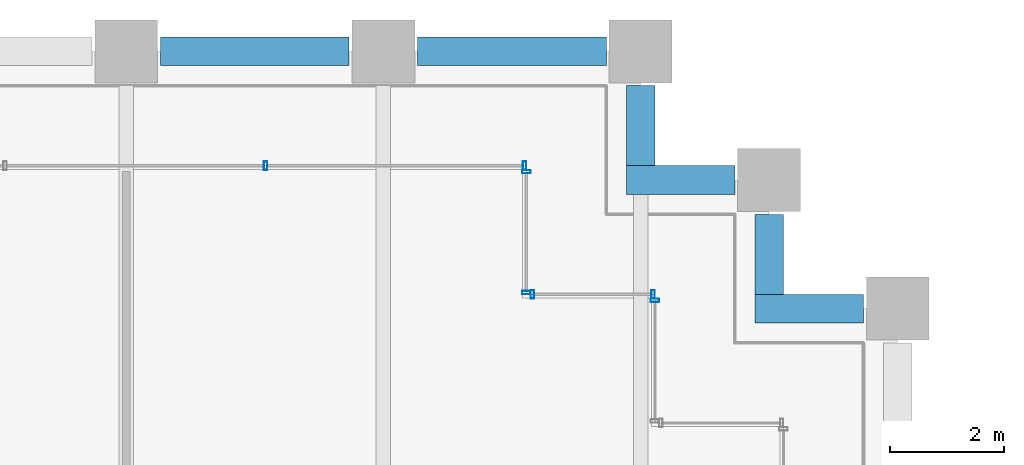
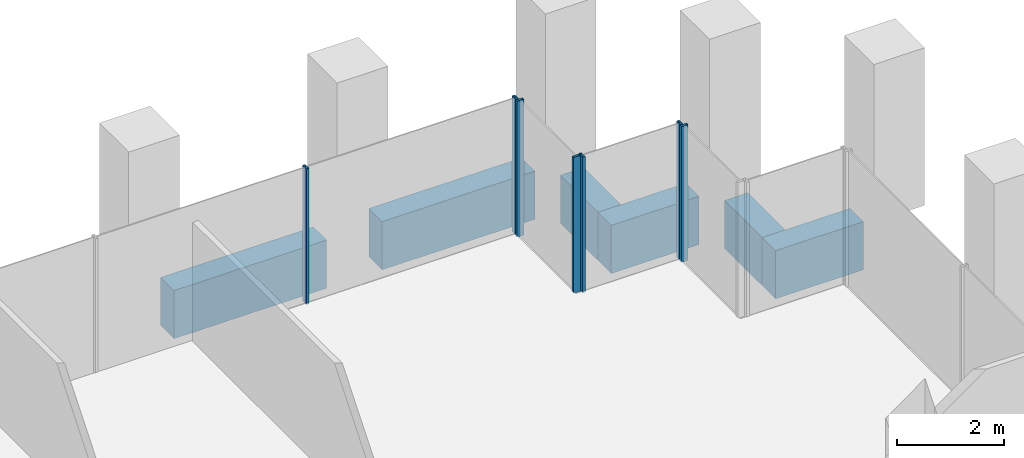
# One storey, part 32 of 55: 7 members, 6 beams, 4 elements without a shape of their own.
"""IFC4 building model written with IfcOpenShell, lengths in metres."""

from ifc_helpers import new_model, si_unit, direction, frame, origin, origin_2d, place, context, subcontext, project, spatial, rectangle, hollow_rectangle, extrude, material, material_profile, profile_set, type_object, element, aggregate, save


model = new_model("IFC4")

# Units and contexts
model_context = context("Model", 3, precision=1e-05, world=origin(), true_north=direction((0.0, 1.0)))
body_context = subcontext(model_context, "Body", "Model", "MODEL_VIEW")
ifc_project = project(units=[si_unit("LENGTHUNIT", "METRE"), si_unit("AREAUNIT", "SQUARE_METRE"), si_unit("VOLUMEUNIT", "CUBIC_METRE"), si_unit("PLANEANGLEUNIT", "RADIAN"), si_unit("MASSUNIT", "GRAM", prefix="KILO")], contexts=[model_context])

# Site, building, storey
site_placement = place(None, origin())
site = spatial("IfcSite", under=ifc_project, at=site_placement, CompositionType="ELEMENT")
building_placement = place(site_placement, origin())
building = spatial("IfcBuilding", under=site, at=building_placement, Name="Altepetl Exchange Towers", CompositionType="ELEMENT")
storey_placement = place(building_placement, frame((0.0, 0.0, 47.39990234375)))
storey = spatial("IfcBuildingStorey", under=building, at=storey_placement, Name="L10", CompositionType="ELEMENT", Elevation=47.39990234375)

# Curtain wall, member
ifc_material_1 = material(Name="Aluminium 6063-T6 glazing", Category="aluminium")
curtain_wall_type = type_object("IfcCurtainWallType", Name="Loggia glazing system", PredefinedType="NOTDEFINED", material=ifc_material_1)
curtain_wall_1_placement = place(storey_placement, origin())
curtain_wall_1 = element("IfcCurtainWall", 1, at=curtain_wall_1_placement, inside=storey, type_object=curtain_wall_type, Name="CW1 run", PredefinedType="NOTDEFINED")
ifc_material_2 = material(Name="Aluminium 6063-T6", Category="aluminium")
ifc_material_profile_1 = material_profile(ifc_material_2, hollow_rectangle(XDim=0.06005859375, YDim=0.14990234375, WallThickness=0.0029296875, at=origin_2d()), Name="Mullion 60x150 aluminium")
ifc_profile_set_1 = profile_set([ifc_material_profile_1], Name="Aluminium 6063-T6")
member_type = type_object("IfcMemberType", Name="Mullion 60x150 aluminium", PredefinedType="MULLION", material=ifc_profile_set_1)
member_1_placement = place(storey_placement, frame((67.75, 67.64501953125, 0.0), z_axis=(0.0, 0.0, 1.0), x_axis=(0.0, 1.0, 0.0)))
member_1 = element("IfcMember", 2, at=member_1_placement, type_object=member_type, Name="MU1 mullion", PredefinedType="MULLION", context=body_context, shape_type="SweptSolid", body=[
    extrude(hollow_rectangle(XDim=0.06005859375, YDim=0.14990234375, WallThickness=0.0029296875, at=origin_2d()), origin(), (0.0, 0.0, 1.0), 3.10009765625),
])
aggregate(curtain_wall_1, [member_1])

# Curtain wall, members
curtain_wall_2_placement = place(storey_placement, origin())
curtain_wall_2 = element("IfcCurtainWall", 3, at=curtain_wall_2_placement, inside=storey, type_object=curtain_wall_type, Name="CW1 run", PredefinedType="NOTDEFINED")
member_2_placement = place(storey_placement, frame((67.719970703125, 67.75, 0.0), z_axis=(0.0, 0.0, 1.0), x_axis=(-1.0, 0.0, 0.0)))
member_2 = element("IfcMember", 4, at=member_2_placement, type_object=member_type, Name="MU1 mullion", PredefinedType="MULLION", context=body_context, shape_type="SweptSolid", body=[
    extrude(hollow_rectangle(XDim=0.06005859375, YDim=0.14990234375, WallThickness=0.0029296875, at=origin_2d()), origin(), (0.0, 0.0, 1.0), 3.10009765625),
])
member_3_placement = place(storey_placement, frame((65.60498046875, 67.75, 0.0), z_axis=(0.0, 0.0, 1.0), x_axis=(-1.0, 0.0, 0.0)))
member_3 = element("IfcMember", 5, at=member_3_placement, type_object=member_type, Name="MU1 mullion", PredefinedType="MULLION", context=body_context, shape_type="SweptSolid", body=[
    extrude(hollow_rectangle(XDim=0.06005859375, YDim=0.14990234375, WallThickness=0.0029296875, at=origin_2d()), origin(), (0.0, 0.0, 1.0), 3.10009765625),
])
aggregate(curtain_wall_2, [member_2, member_3])

curtain_wall_3_placement = place(storey_placement, origin())
curtain_wall_3 = element("IfcCurtainWall", 6, at=curtain_wall_3_placement, inside=storey, type_object=curtain_wall_type, Name="CW1 run", PredefinedType="NOTDEFINED")
member_4_placement = place(storey_placement, frame((65.5, 67.780029296875, 0.0), z_axis=(0.0, 0.0, 1.0), x_axis=(0.0, 1.0, 0.0)))
member_4 = element("IfcMember", 7, at=member_4_placement, type_object=member_type, Name="MU1 mullion", PredefinedType="MULLION", context=body_context, shape_type="SweptSolid", body=[
    extrude(hollow_rectangle(XDim=0.06005859375, YDim=0.14990234375, WallThickness=0.0029296875, at=origin_2d()), origin(), (0.0, 0.0, 1.0), 3.10009765625),
])
member_5_placement = place(storey_placement, frame((65.5, 69.89501953125, 0.0), z_axis=(0.0, 0.0, 1.0), x_axis=(0.0, 1.0, 0.0)))
member_5 = element("IfcMember", 8, at=member_5_placement, type_object=member_type, Name="MU1 mullion", PredefinedType="MULLION", context=body_context, shape_type="SweptSolid", body=[
    extrude(hollow_rectangle(XDim=0.06005859375, YDim=0.14990234375, WallThickness=0.0029296875, at=origin_2d()), origin(), (0.0, 0.0, 1.0), 3.10009765625),
])
aggregate(curtain_wall_3, [member_4, member_5])

curtain_wall_4_placement = place(storey_placement, origin())
curtain_wall_4 = element("IfcCurtainWall", 9, at=curtain_wall_4_placement, inside=storey, type_object=curtain_wall_type, Name="CW1 run", PredefinedType="NOTDEFINED")
member_6_placement = place(storey_placement, frame((65.469970703125, 70.0, 0.0), z_axis=(0.0, 0.0, 1.0), x_axis=(-1.0, 0.0, 0.0)))
member_6 = element("IfcMember", 10, at=member_6_placement, type_object=member_type, Name="MU1 mullion", PredefinedType="MULLION", context=body_context, shape_type="SweptSolid", body=[
    extrude(hollow_rectangle(XDim=0.06005859375, YDim=0.14990234375, WallThickness=0.0029296875, at=origin_2d()), origin(), (0.0, 0.0, 1.0), 3.10009765625),
])
member_7_placement = place(storey_placement, frame((60.939208984375, 70.0, 0.0), z_axis=(0.0, 0.0, 1.0), x_axis=(-1.0, 0.0, 0.0)))
member_7 = element("IfcMember", 11, at=member_7_placement, type_object=member_type, Name="MU1 mullion", PredefinedType="MULLION", context=body_context, shape_type="SweptSolid", body=[
    extrude(hollow_rectangle(XDim=0.06005859375, YDim=0.14990234375, WallThickness=0.0029296875, at=origin_2d()), origin(), (0.0, 0.0, 1.0), 3.10009765625),
])
aggregate(curtain_wall_4, [member_6, member_7])

# Beams
ifc_material_3 = material(Name="Concrete C50/60 precast with cantera rosa facing", Category="concrete")
ifc_material_profile_2 = material_profile(ifc_material_3, rectangle(XDim=0.5, YDim=1.10009765625, at=origin_2d()), Name="500 x 1100")
ifc_profile_set_2 = profile_set([ifc_material_profile_2], Name="Concrete C50/60 precast with cantera rosa facing")
beam_type = type_object("IfcBeamType", Name="Spandrel beam 500x1100 cantera rosa", PredefinedType="SPANDREL", material=ifc_profile_set_2)
beam_1_placement = place(storey_placement, frame((71.39990234375, 67.5, -0.699951171875), z_axis=(-1.0, 0.0, 0.0), x_axis=(0.0, -1.0, 0.0)))
element("IfcBeam", 12, at=beam_1_placement, inside=storey, type_object=beam_type, Name="sp:A:L10:020", PredefinedType="SPANDREL", context=body_context, shape_type="SweptSolid", body=[
    extrude(rectangle(XDim=0.5, YDim=1.10009765625, at=origin_2d()), origin(), (0.0, 0.0, 1.0), 1.89990234375),
])
beam_2_placement = place(storey_placement, frame((69.75, 67.75, -0.699951171875), z_axis=(0.0, 1.0, 0.0), x_axis=(-1.0, 0.0, 0.0)))
element("IfcBeam", 13, at=beam_2_placement, inside=storey, type_object=beam_type, Name="sp:A:L10:021", PredefinedType="SPANDREL", context=body_context, shape_type="SweptSolid", body=[
    extrude(rectangle(XDim=0.5, YDim=1.10009765625, at=origin_2d()), origin(), (0.0, 0.0, 1.0), 1.39990234375),
])
beam_3_placement = place(storey_placement, frame((69.14990234375, 69.75, -0.699951171875), z_axis=(-1.0, 0.0, 0.0), x_axis=(0.0, -1.0, 0.0)))
element("IfcBeam", 14, at=beam_3_placement, inside=storey, type_object=beam_type, Name="sp:A:L10:022", PredefinedType="SPANDREL", context=body_context, shape_type="SweptSolid", body=[
    extrude(rectangle(XDim=0.5, YDim=1.10009765625, at=origin_2d()), origin(), (0.0, 0.0, 1.0), 1.89990234375),
])
beam_4_placement = place(storey_placement, frame((67.5, 70.0, -0.699951171875), z_axis=(0.0, 1.0, 0.0), x_axis=(-1.0, 0.0, 0.0)))
element("IfcBeam", 15, at=beam_4_placement, inside=storey, type_object=beam_type, Name="sp:A:L10:023", PredefinedType="SPANDREL", context=body_context, shape_type="SweptSolid", body=[
    extrude(rectangle(XDim=0.5, YDim=1.10009765625, at=origin_2d()), origin(), (0.0, 0.0, 1.0), 1.39990234375),
])
for number, where, z_axis, x_axis, name in (
    (16, (66.89990234375, 72.0, -0.699951171875), (-1.0, 0.0, 0.0), (0.0, -1.0, 0.0), "sp:A:L10:024"),
    (17, (62.39990234375, 72.0, -0.699951171875), (-1.0, 0.0, 0.0), (0.0, -1.0, 0.0), "sp:A:L10:025"),
):
    element("IfcBeam", number, at=place(storey_placement, frame(where, z_axis=z_axis, x_axis=x_axis)), inside=storey, type_object=beam_type, Name=name, PredefinedType="SPANDREL", context=body_context, shape_type="SweptSolid", body=[
        extrude(rectangle(XDim=0.5, YDim=1.10009765625, at=origin_2d()), origin(), (0.0, 0.0, 1.0), 3.2998046875),
    ])

save(model, "model.ifc")
